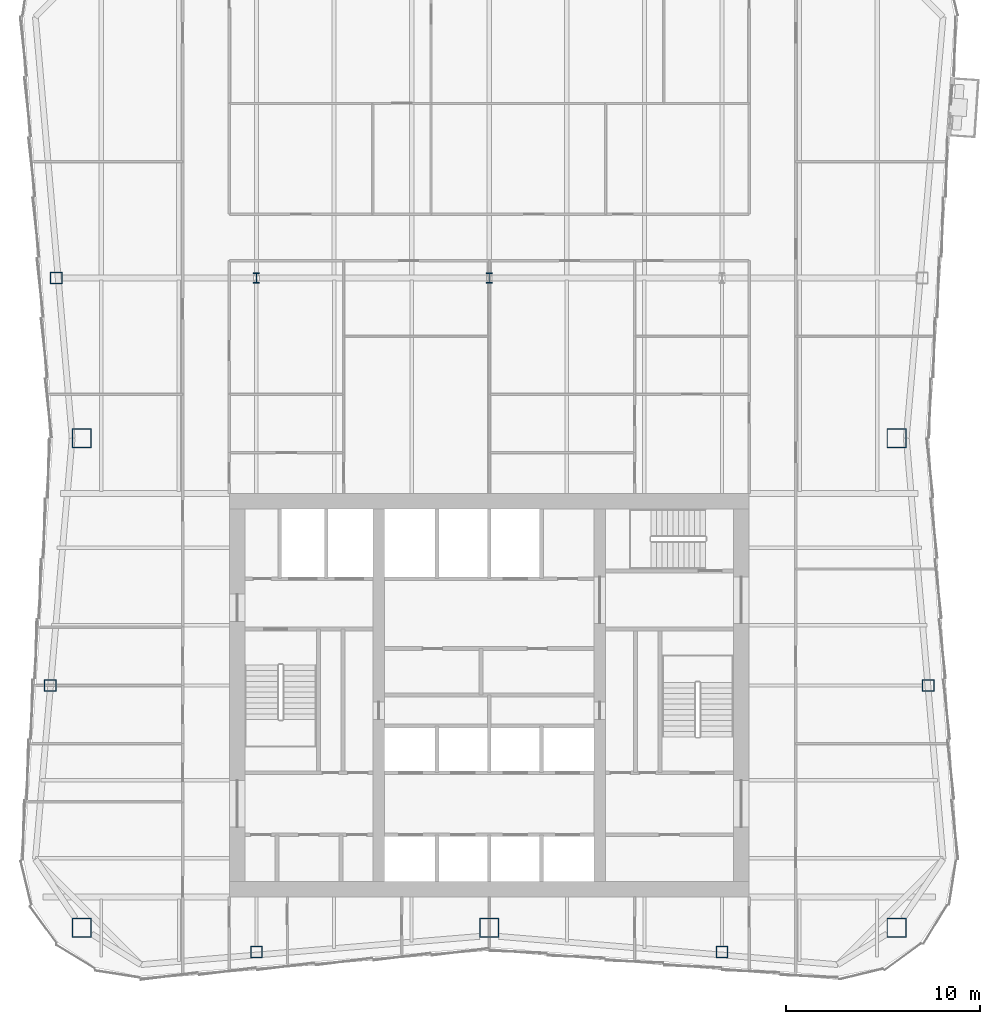
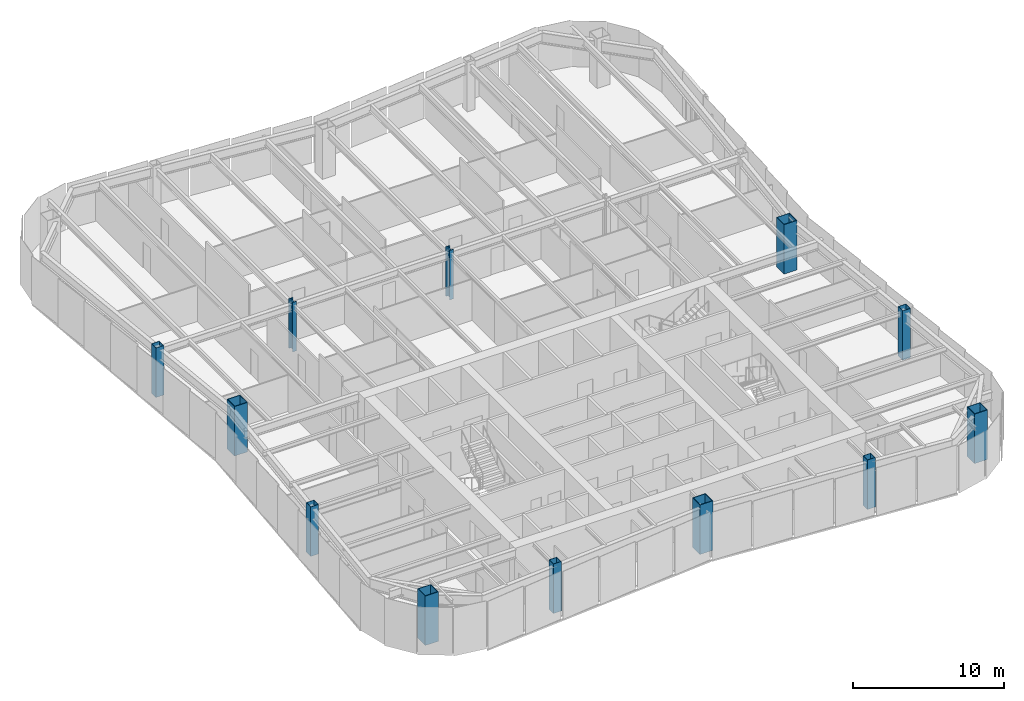
# One storey, part 1 of 12: 12 columns.
"""IFC4 building model written with IfcOpenShell, lengths in metres."""

import ifcopenshell
import ifcopenshell.guid

model = None  # the IFC model being written
_history = None  # IfcOwnerHistory: only IFC2X3 demands one
_inside = {}  # id of a spatial element -> (the spatial element, [elements in it])
_under = {}  # id of a project, library or spatial element -> (it, [spatial elements below it])
_declared = {}  # id of a project -> (the project, [libraries it declares])
_typed = {}  # id of a type object -> (the type object, [elements of that type])
_made_of = {}  # id of a material, layer set ... -> (it, [elements and type objects made of it])


def new_model(schema):
    """Start an empty IFC model of exactly this schema.

    Asked for "IFC4X3", IfcOpenShell would pick the latest addendum, in which some entities
    have other attributes; the version numbers below select the first issue.
    IFC2X3 requires an IfcOwnerHistory on every rooted entity: one is made here for all.
    """
    global model, _history
    if schema == "IFC4X3":
        model = ifcopenshell.file(schema_version=(4, 3, 0, 0))
    else:
        model = ifcopenshell.file(schema=schema)
    _inside.clear()
    _under.clear()
    _declared.clear()
    _typed.clear()
    _made_of.clear()
    _history = None
    if model.schema == "IFC2X3":
        org = make("IfcOrganization", Name="unknown")
        user = make(
            "IfcPersonAndOrganization",
            ThePerson=make("IfcPerson", FamilyName="unknown"),
            TheOrganization=org,
        )
        app = make(
            "IfcApplication",
            ApplicationDeveloper=org,
            Version="unknown",
            ApplicationFullName="unknown",
            ApplicationIdentifier="unknown",
        )
        _history = make(
            "IfcOwnerHistory",
            OwningUser=user,
            OwningApplication=app,
            ChangeAction="ADDED",
            CreationDate=0,
        )
    return model


def make(cls, **values):
    """One entity of the class cls with the attributes given. An attribute that is None is left unset."""
    return model.create_entity(
        cls, **{name: value for name, value in values.items() if value is not None}
    )


def rooted(cls, **values):
    """An entity with a GlobalId (a new one), such as an element, a storey or a relation."""
    return make(cls, GlobalId=ifcopenshell.guid.new(), OwnerHistory=_history, **values)


def si_unit(unit_type, name, prefix=None):
    """IfcSIUnit, for example si_unit("LENGTHUNIT", "METRE", prefix="MILLI")."""
    return make("IfcSIUnit", UnitType=unit_type, Prefix=prefix, Name=name)


def assignment(units):
    """IfcUnitAssignment: the units of a project."""
    return None if units is None else make("IfcUnitAssignment", Units=units)


def point(xyz):
    """IfcCartesianPoint."""
    return None if xyz is None else make("IfcCartesianPoint", Coordinates=xyz)


def direction(xyz):
    """IfcDirection."""
    return None if xyz is None else make("IfcDirection", DirectionRatios=xyz)


def frame(location, z_axis=None, x_axis=None):
    """IfcAxis2Placement3D, a coordinate frame: its origin and axes. An axis left out is left unset."""
    return make(
        "IfcAxis2Placement3D",
        Location=point(location),
        Axis=direction(z_axis),
        RefDirection=direction(x_axis),
    )


def frame_2d(location, x_axis=None):
    """IfcAxis2Placement2D, a coordinate frame in the plane: its origin and x axis."""
    return make(
        "IfcAxis2Placement2D", Location=point(location), RefDirection=direction(x_axis)
    )


def origin():
    """The frame at (0, 0, 0) with its axes left unset."""
    return frame((0.0, 0.0, 0.0))


def origin_2d():
    """The frame at (0, 0) in the plane with its x axis left unset."""
    return frame_2d((0.0, 0.0))


def place(relative_to, where):
    """IfcLocalPlacement: puts the frame where relative to a parent placement (None: the world)."""
    return make(
        "IfcLocalPlacement", PlacementRelTo=relative_to, RelativePlacement=where
    )


def context(
    kind, dimensions, precision=None, world=None, true_north=None, identifier=None
):
    """IfcGeometricRepresentationContext, for example the 3D "Model" context."""
    return make(
        "IfcGeometricRepresentationContext",
        ContextIdentifier=identifier,
        ContextType=kind,
        CoordinateSpaceDimension=dimensions,
        Precision=precision,
        WorldCoordinateSystem=world,
        TrueNorth=true_north,
    )


def subcontext(parent, identifier, kind, view, scale=None):
    """IfcGeometricRepresentationSubContext, for example "Body" below "Model"."""
    return make(
        "IfcGeometricRepresentationSubContext",
        ContextIdentifier=identifier,
        ContextType=kind,
        ParentContext=parent,
        TargetScale=scale,
        TargetView=view,
    )


def project(units=None, contexts=None):
    """IfcProject with its units and contexts."""
    return rooted(
        "IfcProject",
        Name="project",
        RepresentationContexts=contexts,
        UnitsInContext=assignment(units),
    )


def spatial(cls, under=None, at=None, **own):
    """A site, building, storey or space (cls), placed at a placement, below another one or the project."""
    s = rooted(cls, ObjectPlacement=at, **own)
    if under is not None:
        _under.setdefault(under.id(), (under, []))[1].append(s)
    return s


def profile(cls, at=None, kind="AREA", **sizes):
    """A parametric profile (cls). Its sizes go by their IFC names, for example OverallWidth=200.0."""
    return make(cls, ProfileType=kind, Position=at, **sizes)


def hollow_rectangle(**sizes):
    """IfcRectangleHollowProfileDef."""
    return profile("IfcRectangleHollowProfileDef", **sizes)


def i_section(**sizes):
    """IfcIShapeProfileDef."""
    return profile("IfcIShapeProfileDef", **sizes)


def extrude(swept, where, along, depth):
    """IfcExtrudedAreaSolid: the profile swept, set in the frame where, extruded along a direction by depth."""
    return make(
        "IfcExtrudedAreaSolid",
        SweptArea=swept,
        Position=where,
        ExtrudedDirection=direction(along),
        Depth=depth,
    )


def shape(context_of_items, identifier, shape_type, items):
    """IfcShapeRepresentation: the items that make up one representation, for example the "Body"."""
    return make(
        "IfcShapeRepresentation",
        ContextOfItems=context_of_items,
        RepresentationIdentifier=identifier,
        RepresentationType=shape_type,
        Items=items,
    )


def material(Name=None, Category=None):
    """IfcMaterial."""
    return make("IfcMaterial", Name=Name, Category=Category)


def material_profile(
    of_material, cross_section, Name=None, Category=None, Priority=None
):
    """IfcMaterialProfile: a cross section and its material."""
    return make(
        "IfcMaterialProfile",
        Name=Name,
        Material=of_material,
        Profile=cross_section,
        Priority=Priority,
        Category=Category,
    )


def profile_set(profiles, Name=None, composite=None):
    """IfcMaterialProfileSet."""
    return make(
        "IfcMaterialProfileSet",
        Name=Name,
        MaterialProfiles=profiles,
        CompositeProfile=composite,
    )


def made_of(thing, what):
    """Note that an element or type object is made of a material, layer set ...; save() writes the relation."""
    if what is not None:
        _made_of.setdefault(what.id(), (what, []))[1].append(thing)
    return thing


def type_object(cls, material=None, **own):
    """A type object (cls), such as IfcWallType, which elements share."""
    return made_of(rooted(cls, **own), material)


def element(
    cls,
    number,
    at=None,
    inside=None,
    cuts=None,
    type_object=None,
    material=None,
    context=None,
    identifier="Body",
    shape_type=None,
    held_by="IfcProductDefinitionShape",
    body=None,
    shapes=None,
    **own,
):
    """One element of the class cls, such as IfcWall. Its Tag is "e" and its number.

    at: its placement. inside: the storey or other place that contains it. cuts: it is an
    opening in that element (IfcRelVoidsElement). A single representation is given by context,
    identifier, shape_type and body (its items); several are given by shapes. held_by: the class
    of the entity that holds the representations. save() writes the other relations.
    """
    e = rooted(cls, Tag="e%d" % number, ObjectPlacement=at, **own)
    if body is not None:
        shapes = [shape(context, identifier, shape_type, body)]
    if shapes is not None:
        e.Representation = make(held_by, Representations=shapes)
    if inside is not None:
        _inside.setdefault(inside.id(), (inside, []))[1].append(e)
    if cuts is not None:
        rooted(
            "IfcRelVoidsElement", RelatingBuildingElement=cuts, RelatedOpeningElement=e
        )
    if type_object is not None:
        _typed.setdefault(type_object.id(), (type_object, []))[1].append(e)
    return made_of(e, material)


def aggregate(whole, parts):
    """IfcRelAggregates: a whole, such as a stair, and the parts it consists of."""
    return rooted("IfcRelAggregates", RelatingObject=whole, RelatedObjects=parts)


def save(model, path):
    """Write the relations noted so far, then the file.

    IfcRelAggregates (storeys below a building ...), IfcRelContainedInSpatialStructure (elements
    in a storey), IfcRelDefinesByType, IfcRelAssociatesMaterial and IfcRelDeclares: one each for
    every whole, place, type object, material and project.
    """
    for whole, parts in _under.values():
        aggregate(whole, parts)
    for where, things in _inside.values():
        rooted(
            "IfcRelContainedInSpatialStructure",
            RelatedElements=things,
            RelatingStructure=where,
        )
    for kind, things in _typed.values():
        rooted("IfcRelDefinesByType", RelatedObjects=things, RelatingType=kind)
    for what, things in _made_of.values():
        rooted("IfcRelAssociatesMaterial", RelatedObjects=things, RelatingMaterial=what)
    for by, libraries in _declared.values():
        rooted("IfcRelDeclares", RelatingContext=by, RelatedDefinitions=libraries)
    model.write(path)


model = new_model("IFC4")

# Units and contexts
model_context = context("Model", 3, precision=1e-05, world=origin(), true_north=direction((0.0, 1.0)))
body_context = subcontext(model_context, "Body", "Model", "MODEL_VIEW")
ifc_project = project(units=[si_unit("LENGTHUNIT", "METRE"), si_unit("AREAUNIT", "SQUARE_METRE"), si_unit("VOLUMEUNIT", "CUBIC_METRE"), si_unit("PLANEANGLEUNIT", "RADIAN"), si_unit("MASSUNIT", "GRAM", prefix="KILO")], contexts=[model_context])

# Site, building, storey
site_placement = place(None, origin())
site = spatial("IfcSite", under=ifc_project, at=site_placement, CompositionType="ELEMENT")
building_placement = place(site_placement, origin())
building = spatial("IfcBuilding", under=site, at=building_placement, Name="Verdant Reach Tower", CompositionType="ELEMENT")
storey_placement = place(building_placement, frame((0.0, 0.0, 278.0)))
storey = spatial("IfcBuildingStorey", under=building, at=storey_placement, Name="L64", CompositionType="ELEMENT", Elevation=278.0)

# Columns
ifc_material = material(Name="Steel S460", Category="steel")
ifc_material_profile_1 = material_profile(ifc_material, i_section(OverallWidth=0.305908203125, OverallDepth=0.52392578125, WebThickness=0.012451171875, FlangeThickness=0.0400390625, FilletRadius=0.027099609375, at=origin_2d()), Name="HEM 500")
ifc_profile_set_1 = profile_set([ifc_material_profile_1], Name="Steel S460")
column_type_1 = type_object("IfcColumnType", Name="ST-COL-HEM500", PredefinedType="COLUMN", material=ifc_profile_set_1)
for number, where, z_axis, x_axis, name in (
    (1, (-12.0, 49.5, 0.0), (0.0, 0.0, 1.0), (1.0, 0.0, 0.0), "Interior column 1, L64"),
    (2, (0.0, 49.5, 0.0), (0.0, 0.0, 1.0), (1.0, 0.0, 0.0), "Interior column 2, L64"),
):
    element("IfcColumn", number, at=place(storey_placement, frame(where, z_axis=z_axis, x_axis=x_axis)), inside=storey, type_object=column_type_1, Name=name, PredefinedType="COLUMN", context=body_context, shape_type="SweptSolid", body=[
        extrude(i_section(OverallWidth=0.305908203125, OverallDepth=0.52392578125, WebThickness=0.012451171875, FlangeThickness=0.0400390625, FilletRadius=0.027099609375, at=origin_2d()), origin(), (0.0, 0.0, 1.0), 4.0),
    ])
ifc_material_profile_2 = material_profile(ifc_material, hollow_rectangle(XDim=1.0, YDim=1.0, WallThickness=0.044921875, at=origin_2d()), Name="WB 1000x1000x45")
ifc_profile_set_2 = profile_set([ifc_material_profile_2], Name="Steel S460")
column_type_2 = type_object("IfcColumnType", Name="ST-COL-WB1000x1000x45", PredefinedType="COLUMN", material=ifc_profile_set_2)
for number, where, z_axis, x_axis, name in (
    (3, (21.0, 41.25, 0.0), (0.0, 0.0, 1.0), (1.0, 0.0, 0.0), "Mega column east, L64"),
    (4, (21.0, 16.0, 0.0), (0.0, 0.0, 1.0), (1.0, 0.0, 0.0), "Mega column south-east, L64"),
    (5, (0.0, 16.0, 0.0), (0.0, 0.0, 1.0), (1.0, 0.0, 0.0), "Mega column south, L64"),
    (6, (-21.0, 16.0, 0.0), (0.0, 0.0, 1.0), (1.0, 0.0, 0.0), "Mega column south-west, L64"),
    (7, (-21.0, 41.25, 0.0), (0.0, 0.0, 1.0), (1.0, 0.0, 0.0), "Mega column west, L64"),
):
    element("IfcColumn", number, at=place(storey_placement, frame(where, z_axis=z_axis, x_axis=x_axis)), inside=storey, type_object=column_type_2, Name=name, PredefinedType="COLUMN", context=body_context, shape_type="SweptSolid", body=[
        extrude(hollow_rectangle(XDim=1.0, YDim=1.0, WallThickness=0.044921875, at=origin_2d()), origin(), (0.0, 0.0, 1.0), 4.0),
    ])
ifc_material_profile_3 = material_profile(ifc_material, hollow_rectangle(XDim=0.60009765625, YDim=0.60009765625, WallThickness=0.02490234375, at=origin_2d()), Name="WB 600x600x25")
ifc_profile_set_3 = profile_set([ifc_material_profile_3], Name="Steel S460")
column_type_3 = type_object("IfcColumnType", Name="ST-COL-WB600x600x25", PredefinedType="COLUMN", material=ifc_profile_set_3)
for number, where, z_axis, x_axis, name in (
    (8, (-12.0, 14.75, 0.0), (0.0, 0.0, 1.0), (1.0, 0.0, 0.0), "Perimeter column south 1, L64"),
    (9, (12.0, 14.75, 0.0), (0.0, 0.0, 1.0), (1.0, 0.0, 0.0), "Perimeter column south 2, L64"),
    (10, (22.62939453125, 28.5, 0.0), (0.0, 0.0, 1.0), (1.0, 0.0, 0.0), "Perimeter column east 1, L64"),
    (11, (-22.62939453125, 28.5, 0.0), (0.0, 0.0, 1.0), (1.0, 0.0, 0.0), "Perimeter column west 1, L64"),
    (12, (-22.319091796875, 49.5, 0.0), (0.0, 0.0, 1.0), (1.0, 0.0, 0.0), "Perimeter column west 2, L64"),
):
    element("IfcColumn", number, at=place(storey_placement, frame(where, z_axis=z_axis, x_axis=x_axis)), inside=storey, type_object=column_type_3, Name=name, PredefinedType="COLUMN", context=body_context, shape_type="SweptSolid", body=[
        extrude(hollow_rectangle(XDim=0.60009765625, YDim=0.60009765625, WallThickness=0.02490234375, at=origin_2d()), origin(), (0.0, 0.0, 1.0), 4.0),
    ])

save(model, "model.ifc")
